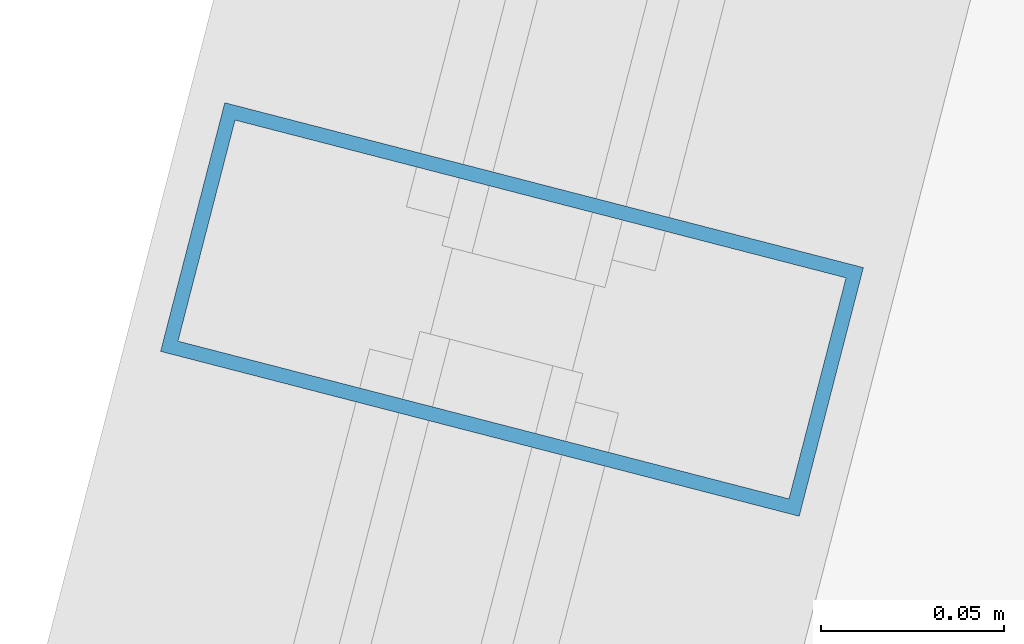
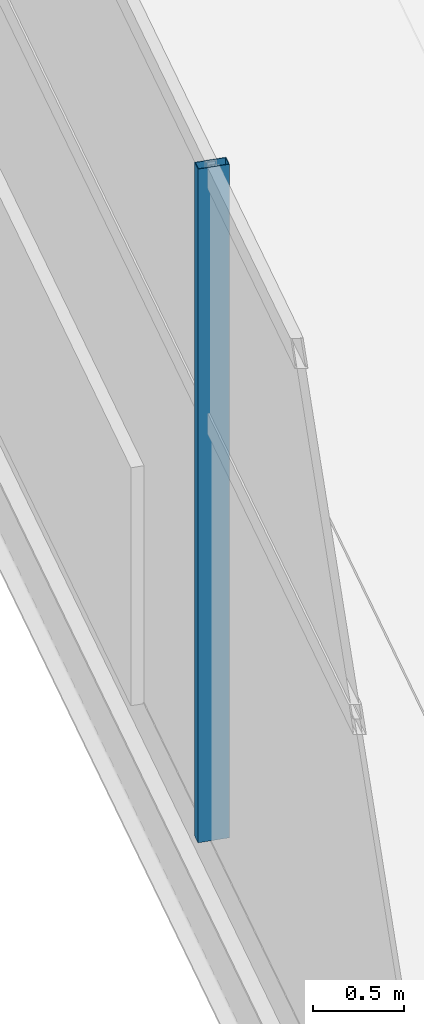
# One storey, part 51 of 186: 1 member, 1 element without a shape of its own.
"""IFC4 building model written with IfcOpenShell, lengths in metres."""

from ifc_helpers import new_model, si_unit, direction, frame, origin, origin_2d, place, context, subcontext, project, spatial, hollow_rectangle, extrude, material, layer, layer_set, material_profile, profile_set, type_object, element, aggregate, save


model = new_model("IFC4")

# Units and contexts
model_context = context("Model", 3, precision=1e-05, world=origin(), true_north=direction((0.0, 1.0)))
body_context = subcontext(model_context, "Body", "Model", "MODEL_VIEW")
ifc_project = project(units=[si_unit("LENGTHUNIT", "METRE"), si_unit("AREAUNIT", "SQUARE_METRE"), si_unit("VOLUMEUNIT", "CUBIC_METRE"), si_unit("PLANEANGLEUNIT", "RADIAN"), si_unit("MASSUNIT", "GRAM", prefix="KILO")], contexts=[model_context])

# Site, building, storey
site_placement = place(None, origin())
site = spatial("IfcSite", under=ifc_project, at=site_placement, CompositionType="ELEMENT")
building_placement = place(site_placement, origin())
building = spatial("IfcBuilding", under=site, at=building_placement, Name="Kazemori Nagisa Stadium", CompositionType="ELEMENT")
storey_placement = place(building_placement, frame((0.0, 0.0, 20.39990234375)))
storey = spatial("IfcBuildingStorey", under=building, at=storey_placement, Name="L04", CompositionType="ELEMENT", Elevation=20.39990234375)

# Curtain wall, member
ifc_material_1 = material(Name="Anodised aluminium 6063-T5", Category="aluminium")
ifc_layer = layer(ifc_material_1, 0.179931640625, Name="Anodised aluminium 6063-T5", Category="aluminium")
ifc_layer_set = layer_set([ifc_layer], Name="Anodised aluminium 6063-T5")
curtain_wall_type = type_object("IfcCurtainWallType", Name="CW_L04R3_98", PredefinedType="USERDEFINED", material=ifc_layer_set)
curtain_wall_placement = place(storey_placement, origin())
curtain_wall = element("IfcCurtainWall", 1, at=curtain_wall_placement, inside=storey, type_object=curtain_wall_type, Name="Unitised curtain wall CW-L04R3-98 L04", ObjectType="UNITISED CURTAIN WALL", PredefinedType="USERDEFINED")
ifc_material_2 = material(Name="Aluminium 6063-T5 anodised", Category="aluminium")
ifc_material_profile = material_profile(ifc_material_2, hollow_rectangle(XDim=0.070068359375, YDim=0.179931640625, WallThickness=0.00390625, at=origin_2d()), Name="ALU-MULL-70x180x4")
ifc_profile_set = profile_set([ifc_material_profile], Name="Aluminium 6063-T5 anodised")
member_type = type_object("IfcMemberType", Name="Mullion_M01", PredefinedType="MULLION", material=ifc_profile_set)
member_placement = place(storey_placement, frame((30.8056640625, 127.9306640625, 0.0), z_axis=(0.0, 0.0, 1.0), x_axis=(-0.249964642418, -0.968254965152, 0.0)))
member = element("IfcMember", 2, at=member_placement, type_object=member_type, Name="Curtain wall mullion CW-L04R3-98-M3", PredefinedType="MULLION", context=body_context, shape_type="SweptSolid", body=[
    extrude(hollow_rectangle(XDim=0.070068359375, YDim=0.179931640625, WallThickness=0.00390625, at=origin_2d()), origin(), (0.0, 0.0, 1.0), 4.530029296875),
])
aggregate(curtain_wall, [member])

save(model, "model.ifc")
